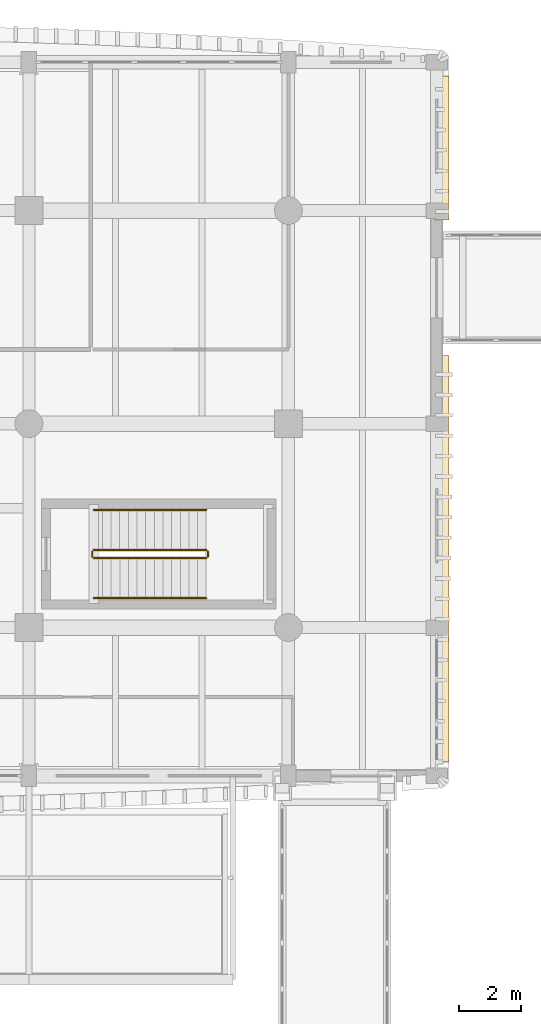
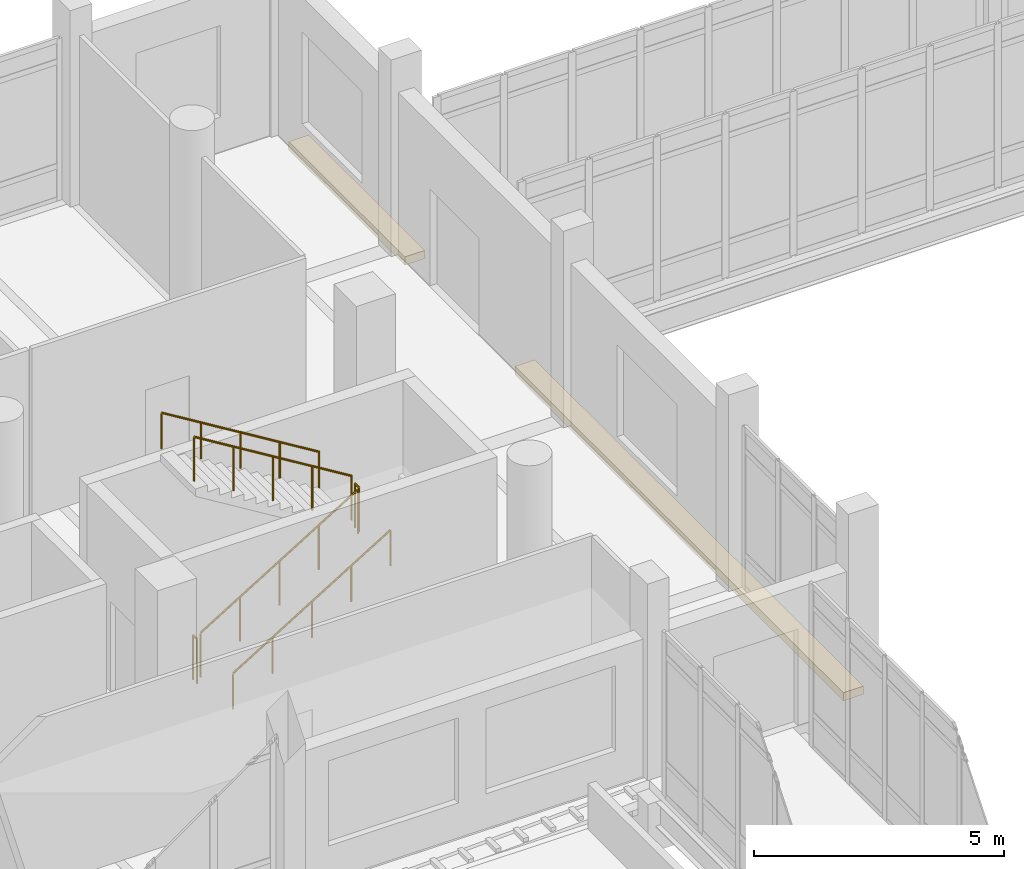
# One storey, part 112 of 125: 6 railings, 2 coverings.
"""IFC4 building model written with IfcOpenShell, lengths in metres."""

from ifc_helpers import new_model, si_unit, direction, frame, origin, origin_2d, place, context, subcontext, project, spatial, polyline, circle, outline, extrude, material, layer, layer_set, type_object, element, save


model = new_model("IFC4")

# Units and contexts
model_context = context("Model", 3, precision=1e-05, world=origin(), true_north=direction((0.0, 1.0)))
body_context = subcontext(model_context, "Body", "Model", "MODEL_VIEW")
ifc_project = project(units=[si_unit("LENGTHUNIT", "METRE"), si_unit("AREAUNIT", "SQUARE_METRE"), si_unit("VOLUMEUNIT", "CUBIC_METRE"), si_unit("PLANEANGLEUNIT", "RADIAN"), si_unit("MASSUNIT", "GRAM", prefix="KILO")], contexts=[model_context])

# Site, building, storey
site_placement = place(None, origin())
site = spatial("IfcSite", under=ifc_project, at=site_placement, CompositionType="ELEMENT")
building_placement = place(site_placement, origin())
building = spatial("IfcBuilding", under=site, at=building_placement, Name="Dornvale Research Institute", CompositionType="ELEMENT")
storey_placement = place(building_placement, frame((0.0, 0.0, 5.39990234375)))
storey = spatial("IfcBuildingStorey", under=building, at=storey_placement, Name="L01", CompositionType="ELEMENT", Elevation=5.39990234375)

# Coverings
ifc_material_1 = material(Name="Polychrome Glazed Terracotta Visor Rib Ceramic", Category="masonry")
ifc_layer_1 = layer(ifc_material_1, 0.199951171875)
ifc_layer_set_1 = layer_set([ifc_layer_1], Name="Polychrome Glazed Terracotta Visor Rib Ceramic")
covering_type = type_object("IfcCoveringType", Name="Covering_VisorBrim_Shelf", PredefinedType="CLADDING", material=ifc_layer_set_1)
covering_1_placement = place(storey_placement, frame((0.0, 0.0, -0.27978515625)))
element("IfcCovering", 1, at=covering_1_placement, inside=storey, type_object=covering_type, Name="L01 V5 canted bowed-brim visor hood #5", PredefinedType="CLADDING", context=body_context, shape_type="SweptSolid", body=[
    extrude(outline(polyline([(46.603271484375, 117.0), (46.139892578125, 117.0), (46.139892578125, 121.64990234375), (46.603271484375, 121.64990234375), (46.603271484375, 117.0)])), origin(), (0.0, 0.0, 1.0), 0.199951171875),
])
covering_2_placement = place(storey_placement, frame((0.0, 0.0, -0.27978515625)))
element("IfcCovering", 2, at=covering_2_placement, inside=storey, type_object=covering_type, Name="L01 V5 canted bowed-brim visor hood #6", PredefinedType="CLADDING", context=body_context, shape_type="SweptSolid", body=[
    extrude(outline(polyline([(46.139892578125, 112.60009765625), (46.603271484375, 112.60009765625), (46.603271484375, 99.449951171875), (46.139892578125, 99.449951171875), (46.139892578125, 112.60009765625)])), origin(), (0.0, 0.0, 1.0), 0.199951171875),
])

# Railings
ifc_material_2 = material(Name="Galvanized Painted Tubular Steel Stair Rail", Category="steel")
ifc_layer_2 = layer(ifc_material_2, 0.050048828125)
ifc_layer_set_2 = layer_set([ifc_layer_2], Name="Galvanized Painted Tubular Steel Stair Rail")
railing_type_1 = type_object("IfcRailingType", Name="Railing_Stair_Guard_1100", PredefinedType="GUARDRAIL", material=ifc_layer_set_2)
railing_1_placement = place(storey_placement, frame((35.10009765625, 106.050048828125, 0.171630859375)))
element("IfcRailing", 3, at=railing_1_placement, inside=storey, type_object=railing_type_1, Name="L01 ST-2 stair guard 1", PredefinedType="GUARDRAIL", context=body_context, shape_type="SweptSolid", body=[
    extrude(circle(Radius=0.02392578125, at=origin_2d()), frame((0.0, 0.0, 1.076171875), z_axis=(0.852850264322, 0.0, 0.5221555579), x_axis=(0.0, 1.0, 0.0)), (0.0, 0.0, 1.0), 4.267822265625),
    extrude(circle(Radius=0.02099609375, at=origin_2d()), origin(), (0.0, 0.0, 1.0), 1.052001953125),
    extrude(circle(Radius=0.02099609375, at=origin_2d()), frame((0.909912109375, 0.0, 0.55712890625)), (0.0, 0.0, 1.0), 1.052001953125),
    extrude(circle(Radius=0.02099609375, at=origin_2d()), frame((1.81982421875, 0.0, 1.1142578125)), (0.0, 0.0, 1.0), 1.052001953125),
    extrude(circle(Radius=0.02099609375, at=origin_2d()), frame((2.72998046875, 0.0, 1.67138671875)), (0.0, 0.0, 1.0), 1.052001953125),
    extrude(circle(Radius=0.02099609375, at=origin_2d()), frame((3.639892578125, 0.0, 2.228515625)), (0.0, 0.0, 1.0), 1.052001953125),
])
railing_2_placement = place(storey_placement, frame((38.7900390625, 106.10009765625, 2.400146484375)))
element("IfcRailing", 4, at=railing_2_placement, inside=storey, type_object=railing_type_1, Name="L01 ST-2 stair guard 2", PredefinedType="GUARDRAIL", context=body_context, shape_type="SweptSolid", body=[
    extrude(circle(Radius=0.02392578125, at=origin_2d()), frame((0.0, 0.0, 1.076171875), z_axis=(0.0, 1.0, 0.0), x_axis=(-1.0, 0.0, 0.0)), (0.0, 0.0, 1.0), 0.159912109375),
    extrude(circle(Radius=0.02099609375, at=origin_2d()), origin(), (0.0, 0.0, 1.0), 1.052001953125),
    extrude(circle(Radius=0.02099609375, at=origin_2d()), frame((0.0, 0.159912109375, 0.0)), (0.0, 0.0, 1.0), 1.052001953125),
])
railing_3_placement = place(storey_placement, frame((38.739990234375, 106.31005859375, 2.571533203125)))
element("IfcRailing", 5, at=railing_3_placement, inside=storey, type_object=railing_type_1, Name="L01 ST-2 stair guard 3", PredefinedType="GUARDRAIL", context=body_context, shape_type="SweptSolid", body=[
    extrude(circle(Radius=0.02392578125, at=origin_2d()), frame((0.0, 0.0, 1.076171875), z_axis=(-0.852850264322, 0.0, 0.5221555579), x_axis=(0.0, -1.0, 0.0)), (0.0, 0.0, 1.0), 4.267822265625),
    extrude(circle(Radius=0.02099609375, at=origin_2d()), origin(), (0.0, 0.0, 1.0), 1.052001953125),
    extrude(circle(Radius=0.02099609375, at=origin_2d()), frame((-0.909912109375, 0.0, 0.55712890625)), (0.0, 0.0, 1.0), 1.052001953125),
    extrude(circle(Radius=0.02099609375, at=origin_2d()), frame((-1.81982421875, 0.0, 1.1142578125)), (0.0, 0.0, 1.0), 1.052001953125),
    extrude(circle(Radius=0.02099609375, at=origin_2d()), frame((-2.72998046875, 0.0, 1.67138671875)), (0.0, 0.0, 1.0), 1.052001953125),
    extrude(circle(Radius=0.02099609375, at=origin_2d()), frame((-3.639892578125, 0.0, 2.228515625)), (0.0, 0.0, 1.0), 1.052001953125),
])
railing_4_placement = place(storey_placement, frame((35.050048828125, 106.10009765625, 0.0)))
element("IfcRailing", 6, at=railing_4_placement, inside=storey, type_object=railing_type_1, Name="L01 ST-2 stair guard 4", PredefinedType="GUARDRAIL", context=body_context, shape_type="SweptSolid", body=[
    extrude(circle(Radius=0.02392578125, at=origin_2d()), frame((0.0, 0.0, 1.076171875), z_axis=(0.0, 1.0, 0.0), x_axis=(-1.0, 0.0, 0.0)), (0.0, 0.0, 1.0), 0.159912109375),
    extrude(circle(Radius=0.02099609375, at=origin_2d()), origin(), (0.0, 0.0, 1.0), 1.052001953125),
    extrude(circle(Radius=0.02099609375, at=origin_2d()), frame((0.0, 0.159912109375, 0.0)), (0.0, 0.0, 1.0), 1.052001953125),
])
ifc_material_3 = material(Name="Galvanized Painted Tubular Steel Stair Rail", Category="steel")
ifc_layer_3 = layer(ifc_material_3, 0.044921875)
ifc_layer_set_3 = layer_set([ifc_layer_3], Name="Galvanized Painted Tubular Steel Stair Rail")
railing_type_2 = type_object("IfcRailingType", Name="Railing_Stair_Handrail_900", PredefinedType="HANDRAIL", material=ifc_layer_set_3)
railing_5_placement = place(storey_placement, frame((35.10009765625, 104.75, 0.171630859375)))
element("IfcRailing", 7, at=railing_5_placement, inside=storey, type_object=railing_type_2, Name="L01 ST-2 stair handrail 1", PredefinedType="HANDRAIL", context=body_context, shape_type="SweptSolid", body=[
    extrude(circle(Radius=0.02392578125, at=origin_2d()), frame((0.0, 0.0, 0.8759765625), z_axis=(0.852850264322, 0.0, 0.5221555579), x_axis=(0.0, 1.0, 0.0)), (0.0, 0.0, 1.0), 4.267822265625),
    extrude(circle(Radius=0.02099609375, at=origin_2d()), origin(), (0.0, 0.0, 1.0), 0.851806640625),
    extrude(circle(Radius=0.02099609375, at=origin_2d()), frame((0.909912109375, 0.0, 0.55712890625)), (0.0, 0.0, 1.0), 0.851806640625),
    extrude(circle(Radius=0.02099609375, at=origin_2d()), frame((1.81982421875, 0.0, 1.1142578125)), (0.0, 0.0, 1.0), 0.851806640625),
    extrude(circle(Radius=0.02099609375, at=origin_2d()), frame((2.72998046875, 0.0, 1.67138671875)), (0.0, 0.0, 1.0), 0.851806640625),
    extrude(circle(Radius=0.02099609375, at=origin_2d()), frame((3.639892578125, 0.0, 2.228515625)), (0.0, 0.0, 1.0), 0.851806640625),
])
railing_6_placement = place(storey_placement, frame((38.739990234375, 107.610107421875, 2.571533203125)))
element("IfcRailing", 8, at=railing_6_placement, inside=storey, type_object=railing_type_2, Name="L01 ST-2 stair handrail 2", PredefinedType="HANDRAIL", context=body_context, shape_type="SweptSolid", body=[
    extrude(circle(Radius=0.02392578125, at=origin_2d()), frame((0.0, 0.0, 0.8759765625), z_axis=(-0.852850264322, 0.0, 0.5221555579), x_axis=(0.0, -1.0, 0.0)), (0.0, 0.0, 1.0), 4.267822265625),
    extrude(circle(Radius=0.02099609375, at=origin_2d()), origin(), (0.0, 0.0, 1.0), 0.851806640625),
    extrude(circle(Radius=0.02099609375, at=origin_2d()), frame((-0.909912109375, 0.0, 0.55712890625)), (0.0, 0.0, 1.0), 0.851806640625),
    extrude(circle(Radius=0.02099609375, at=origin_2d()), frame((-1.81982421875, 0.0, 1.1142578125)), (0.0, 0.0, 1.0), 0.851806640625),
    extrude(circle(Radius=0.02099609375, at=origin_2d()), frame((-2.72998046875, 0.0, 1.67138671875)), (0.0, 0.0, 1.0), 0.851806640625),
    extrude(circle(Radius=0.02099609375, at=origin_2d()), frame((-3.639892578125, 0.0, 2.228515625)), (0.0, 0.0, 1.0), 0.851806640625),
])

save(model, "model.ifc")
